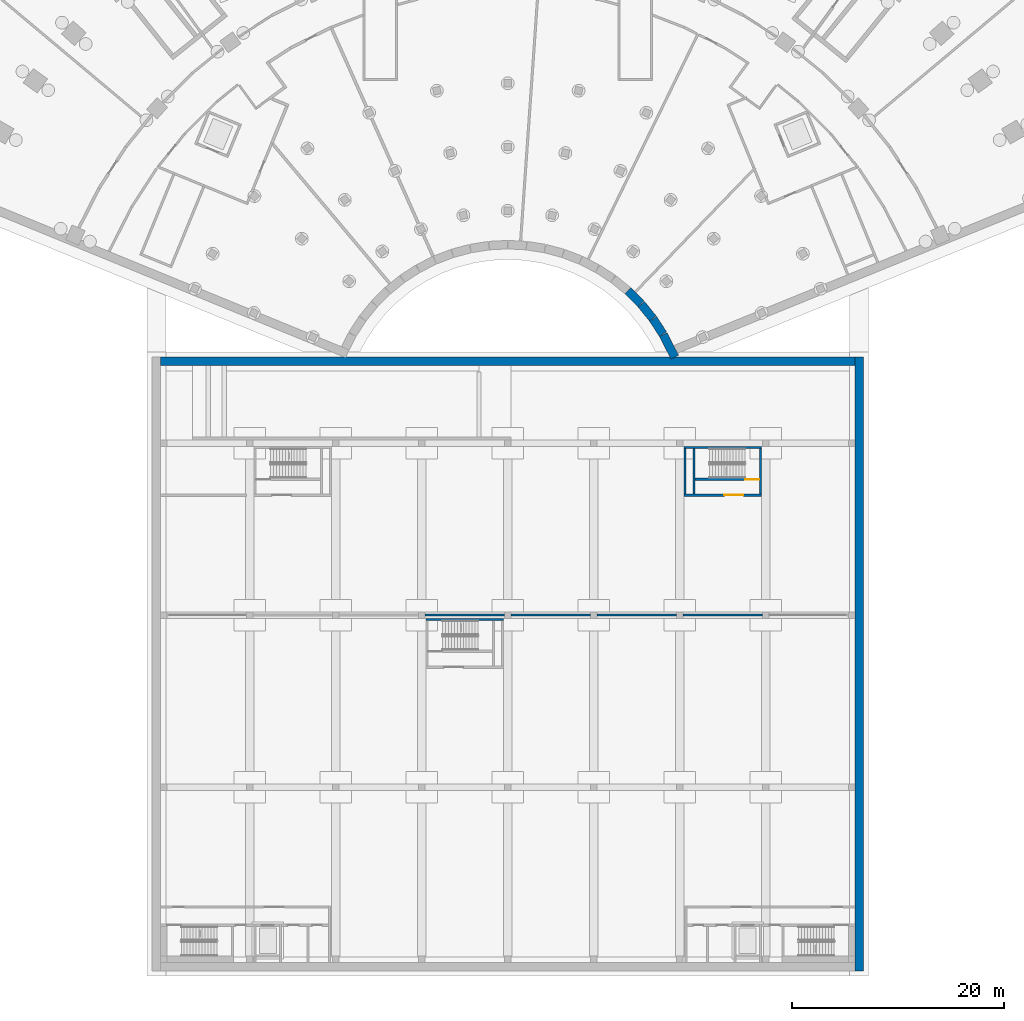
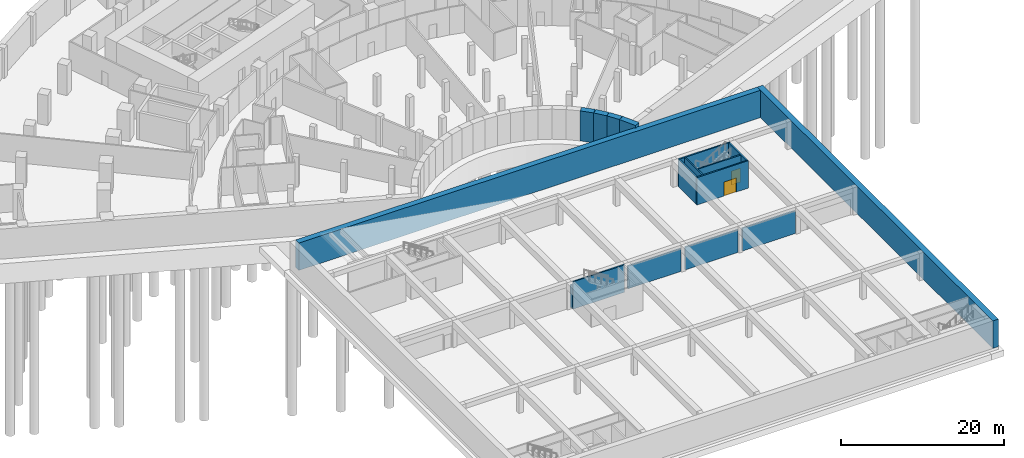
# One storey, part 7 of 25: 17 walls, 2 doors, 2 openings.
"""IFC4 building model written with IfcOpenShell, lengths in metres."""

from ifc_helpers import new_model, si_unit, direction, frame, frame_2d, origin, place, context, subcontext, project, spatial, rectangle, extrude, material, layer, layer_set, type_object, element, fill, save


model = new_model("IFC4")

# Units and contexts
model_context = context("Model", 3, precision=1e-05, world=origin(), true_north=direction((0.0, 1.0)))
body_context = subcontext(model_context, "Body", "Model", "MODEL_VIEW")
ifc_project = project(units=[si_unit("LENGTHUNIT", "METRE"), si_unit("AREAUNIT", "SQUARE_METRE"), si_unit("VOLUMEUNIT", "CUBIC_METRE"), si_unit("PLANEANGLEUNIT", "RADIAN"), si_unit("MASSUNIT", "GRAM", prefix="KILO")], contexts=[model_context])

# Site, building, storey
site_placement = place(None, origin())
site = spatial("IfcSite", under=ifc_project, at=site_placement, CompositionType="ELEMENT")
building_placement = place(site_placement, origin())
building = spatial("IfcBuilding", under=site, at=building_placement, Name="Stone Belt Terrace Tower", CompositionType="ELEMENT")
storey_placement = place(building_placement, frame((0.0, 0.0, -13.5)))
storey = spatial("IfcBuildingStorey", under=building, at=storey_placement, Name="B3", CompositionType="ELEMENT", Elevation=-13.5)

# Walls
ifc_material_1 = material(Name="Concrete B30", Category="concrete")
ifc_layer_1 = layer(ifc_material_1, 0.800048828125)
ifc_layer_set_1 = layer_set([ifc_layer_1], Name="Basement wall 800 B30")
wall_type_1 = type_object("IfcWallType", Name="Basement wall 800 B30", PredefinedType="SHEAR", material=ifc_layer_set_1)
for number, where, z_axis, x_axis, name in (
    (1, (11.323486328125, 12.544677734375, 0.0), (0.0, 0.0, 1.0), (0.707106781187, -0.707106781187, 0.0), "Basement wall B3 19"),
    (2, (12.57275390625, 11.29248046875, 0.0), (0.0, 0.0, 1.0), (0.629303947211, -0.777159277127, 0.0), "Basement wall B3 20"),
    (3, (13.68408203125, 9.916259765625, 0.0), (0.0, 0.0, 1.0), (0.544809461745, -0.83855986691, 0.0), "Basement wall B3 21"),
):
    element("IfcWall", number, at=place(storey_placement, frame(where, z_axis=z_axis, x_axis=x_axis)), inside=storey, type_object=wall_type_1, Name=name, PredefinedType="SHEAR", context=body_context, shape_type="SweptSolid", body=[
        extrude(rectangle(XDim=1.72705078125, YDim=0.800048828125, at=frame_2d((0.863525390625, 0.0))), origin(), (0.0, 0.0, 1.0), 4.5),
    ])
wall_1_placement = place(storey_placement, frame((14.645751953125, 8.431640625, 0.0), z_axis=(0.0, 0.0, 1.0), x_axis=(0.454017502274, -0.890992765195, 0.0)))
element("IfcWall", 4, at=wall_1_placement, inside=storey, type_object=wall_type_1, Name="Basement wall B3 22", PredefinedType="SHEAR", context=body_context, shape_type="SweptSolid", body=[
    extrude(rectangle(XDim=2.392333984375, YDim=0.800048828125, at=frame_2d((1.1962890625, 0.0))), origin(), (0.0, 0.0, 1.0), 4.5),
])

# Wall, opening, door
ifc_layer_2 = layer(ifc_material_1, 0.199951171875)
ifc_layer_set_2 = layer_set([ifc_layer_2], Name="Car park core wall 200")
wall_type_2 = type_object("IfcWallType", Name="Car park core wall 200", PredefinedType="SOLIDWALL", material=ifc_layer_set_2)
wall_2_placement = place(storey_placement, frame((16.60009765625, -6.699951171875, 0.0), z_axis=(0.0, 0.0, 1.0), x_axis=(1.0, 0.0, 0.0)))
wall_2 = element("IfcWall", 5, at=wall_2_placement, inside=storey, type_object=wall_type_2, Name="Car park stair 4 front wall", PredefinedType="SOLIDWALL", context=body_context, shape_type="SweptSolid", body=[
    extrude(rectangle(XDim=7.2998046875, YDim=0.199951171875, at=frame_2d((3.64990234375, 0.0))), origin(), (0.0, 0.0, 1.0), 4.10009765625),
])
opening_1_placement = place(wall_2_placement, frame((3.800048828125, 0.0, 0.0)))
opening_1 = element("IfcOpeningElement", 6, at=opening_1_placement, cuts=wall_2, Name="Opening B3-S22", PredefinedType="OPENING", context=body_context, shape_type="SweptSolid", body=[
    extrude(rectangle(XDim=1.800048828125, YDim=2.10009765625, at=frame_2d((0.89990234375, 1.050048828125))), frame((0.0, 0.10986328125, 0.0), z_axis=(0.0, -1.0, 0.0), x_axis=(1.0, 0.0, 0.0)), (0.0, 0.0, 1.0), 0.219970703125),
])
ifc_material_2 = material(Name="Steel door leaf", Category="steel")
door_type_1 = type_object("IfcDoorType", Name="Core door pair 1800 fire rated", OperationType="DOUBLE_DOOR_DOUBLE_SWING", PredefinedType="DOOR", material=ifc_material_2)
door_1_placement = place(opening_1_placement, origin())
door_1 = element("IfcDoor", 7, at=door_1_placement, inside=storey, type_object=door_type_1, Name="Car park stair 4 vestibule door", OperationType="SINGLE_SWING_LEFT", OverallHeight=2.10009765625, OverallWidth=1.800048828125, PredefinedType="DOOR", context=body_context, shape_type="SweptSolid", body=[
    extrude(rectangle(XDim=1.800048828125, YDim=2.10009765625, at=frame_2d((0.89990234375, 1.050048828125))), frame((0.0, 0.02490234375, 0.0), z_axis=(0.0, -1.0, 0.0), x_axis=(1.0, 0.0, 0.0)), (0.0, 0.0, 1.0), 0.050048828125),
])
fill(opening_1, door_1)

# Walls
for number, where, z_axis, x_axis, name in (
    (8, (23.800048828125, -6.60009765625, 0.0), (0.0, 0.0, 1.0), (0.0, 1.0, 0.0), "Car park stair 4 wall"),
    (9, (17.5400390625, -6.60009765625, 0.0), (0.0, 0.0, 1.0), (0.0, 1.0, 0.0), "Car park stair 4 wall"),
):
    element("IfcWall", number, at=place(storey_placement, frame(where, z_axis=z_axis, x_axis=x_axis)), inside=storey, type_object=wall_type_2, Name=name, PredefinedType="SOLIDWALL", context=body_context, shape_type="SweptSolid", body=[
        extrude(rectangle(XDim=4.300048828125, YDim=0.199951171875, at=frame_2d((2.14990234375, 0.0))), origin(), (0.0, 0.0, 1.0), 4.10009765625),
    ])
wall_3_placement = place(storey_placement, frame((16.60009765625, -2.199951171875, 0.0), z_axis=(0.0, 0.0, 1.0), x_axis=(1.0, 0.0, 0.0)))
element("IfcWall", 10, at=wall_3_placement, inside=storey, type_object=wall_type_2, Name="Car park stair 4 wall", PredefinedType="SOLIDWALL", context=body_context, shape_type="SweptSolid", body=[
    extrude(rectangle(XDim=7.2998046875, YDim=0.199951171875, at=frame_2d((3.64990234375, 0.0))), origin(), (0.0, 0.0, 1.0), 4.10009765625),
])
wall_4_placement = place(storey_placement, frame((16.699951171875, -6.60009765625, 0.0), z_axis=(0.0, 0.0, 1.0), x_axis=(0.0, 1.0, 0.0)))
element("IfcWall", 11, at=wall_4_placement, inside=storey, type_object=wall_type_2, Name="Car park stair 4 wall", PredefinedType="SOLIDWALL", context=body_context, shape_type="SweptSolid", body=[
    extrude(rectangle(XDim=4.300048828125, YDim=0.199951171875, at=frame_2d((2.14990234375, 0.0))), origin(), (0.0, 0.0, 1.0), 4.10009765625),
])

# Wall, opening, door
wall_5_placement = place(storey_placement, frame((17.639892578125, -5.199951171875, 0.0), z_axis=(0.0, 0.0, 1.0), x_axis=(1.0, 0.0, 0.0)))
wall_5 = element("IfcWall", 12, at=wall_5_placement, inside=storey, type_object=wall_type_2, Name="Car park stair 4 vestibule wall", PredefinedType="SOLIDWALL", context=body_context, shape_type="SweptSolid", body=[
    extrude(rectangle(XDim=6.06005859375, YDim=0.199951171875, at=frame_2d((3.030029296875, 0.0))), origin(), (0.0, 0.0, 1.0), 4.10009765625),
])
opening_2_placement = place(wall_5_placement, frame((4.735107421875, 0.0, 0.0)))
opening_2 = element("IfcOpeningElement", 13, at=opening_2_placement, cuts=wall_5, Name="Opening B3-S21", PredefinedType="OPENING", context=body_context, shape_type="SweptSolid", body=[
    extrude(rectangle(XDim=1.300048828125, YDim=2.10009765625, at=frame_2d((0.64990234375, 1.050048828125))), frame((0.0, 0.10986328125, 0.0), z_axis=(0.0, -1.0, 0.0), x_axis=(1.0, 0.0, 0.0)), (0.0, 0.0, 1.0), 0.219970703125),
])
door_type_2 = type_object("IfcDoorType", Name="Core door 1300 fire rated", OperationType="NOTDEFINED", PredefinedType="DOOR", material=ifc_material_2)
door_2_placement = place(opening_2_placement, origin())
door_2 = element("IfcDoor", 14, at=door_2_placement, inside=storey, type_object=door_type_2, Name="Stair 4 door", OperationType="SINGLE_SWING_RIGHT", OverallHeight=2.10009765625, OverallWidth=1.300048828125, PredefinedType="DOOR", context=body_context, shape_type="SweptSolid", body=[
    extrude(rectangle(XDim=1.300048828125, YDim=2.10009765625, at=frame_2d((0.64990234375, 1.050048828125))), frame((0.0, 0.02490234375, 0.0), z_axis=(0.0, -1.0, 0.0), x_axis=(1.0, 0.0, 0.0)), (0.0, 0.0, 1.0), 0.050048828125),
])
fill(opening_2, door_2)

# Walls
wall_6_placement = place(storey_placement, frame((-7.699951171875, -18.39990234375, 0.0), z_axis=(0.0, 0.0, 1.0), x_axis=(1.0, 0.0, 0.0)))
element("IfcWall", 15, at=wall_6_placement, inside=storey, type_object=wall_type_2, Name="Car park stair 5 wall", PredefinedType="SOLIDWALL", context=body_context, shape_type="SweptSolid", body=[
    extrude(rectangle(XDim=7.300048828125, YDim=0.199951171875, at=frame_2d((3.64990234375, 0.0))), origin(), (0.0, 0.0, 1.0), 4.10009765625),
])
ifc_layer_3 = layer(ifc_material_1, 0.800048828125)
ifc_layer_set_3 = layer_set([ifc_layer_3], Name="Car park retaining wall 800")
wall_type_3 = type_object("IfcWallType", Name="Car park retaining wall 800", PredefinedType="SOLIDWALL", material=ifc_layer_set_3)
wall_7_placement = place(storey_placement, frame((33.10009765625, -51.5, 0.0), z_axis=(0.0, 0.0, 1.0), x_axis=(0.0, 1.0, 0.0)))
element("IfcWall", 16, at=wall_7_placement, inside=storey, type_object=wall_type_3, Name="Car park retaining wall east", PredefinedType="SOLIDWALL", context=body_context, shape_type="SweptSolid", body=[
    extrude(rectangle(XDim=57.800048828125, YDim=0.800048828125, at=frame_2d((28.89990234375, 0.0))), origin(), (0.0, 0.0, 1.0), 4.10009765625),
])
wall_8_placement = place(storey_placement, frame((-32.699951171875, 5.89990234375, 0.0), z_axis=(0.0, 0.0, 1.0), x_axis=(1.0, 0.0, 0.0)))
element("IfcWall", 17, at=wall_8_placement, inside=storey, type_object=wall_type_3, Name="Car park retaining wall north", PredefinedType="SOLIDWALL", context=body_context, shape_type="SweptSolid", body=[
    extrude(rectangle(XDim=65.39990234375, YDim=0.800048828125, at=frame_2d((32.699951171875, 0.0))), origin(), (0.0, 0.0, 1.0), 4.10009765625),
])
ifc_layer_4 = layer(ifc_material_1, 0.199951171875)
ifc_layer_set_4 = layer_set([ifc_layer_4], Name="Compartment wall 200")
wall_type_4 = type_object("IfcWallType", Name="Compartment wall 200", PredefinedType="SOLIDWALL", material=ifc_layer_set_4)
for number, where, z_axis, x_axis, name in (
    (18, (-7.800048828125, -18.0, 0.0), (0.0, 0.0, 1.0), (1.0, 0.0, 0.0), "Compartment wall B3 4"),
    (19, (0.300048828125, -18.0, 0.0), (0.0, 0.0, 1.0), (1.0, 0.0, 0.0), "Compartment wall B3 5"),
    (20, (8.39990234375, -18.0, 0.0), (0.0, 0.0, 1.0), (1.0, 0.0, 0.0), "Compartment wall B3 6"),
    (21, (16.5, -18.0, 0.0), (0.0, 0.0, 1.0), (1.0, 0.0, 0.0), "Compartment wall B3 7"),
):
    element("IfcWall", number, at=place(storey_placement, frame(where, z_axis=z_axis, x_axis=x_axis)), inside=storey, type_object=wall_type_4, Name=name, PredefinedType="SOLIDWALL", context=body_context, shape_type="SweptSolid", body=[
        extrude(rectangle(XDim=7.5, YDim=0.199951171875, at=frame_2d((3.75, 0.0))), origin(), (0.0, 0.0, 1.0), 3.39990234375),
    ])

save(model, "model.ifc")
